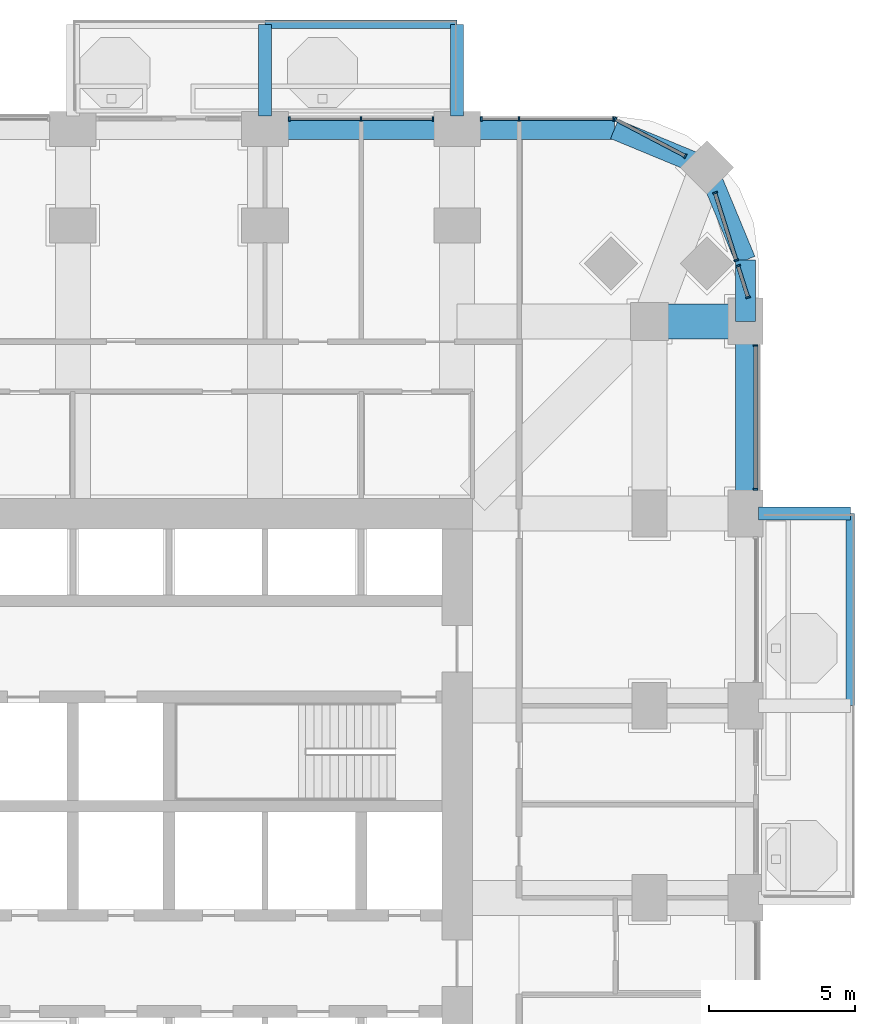
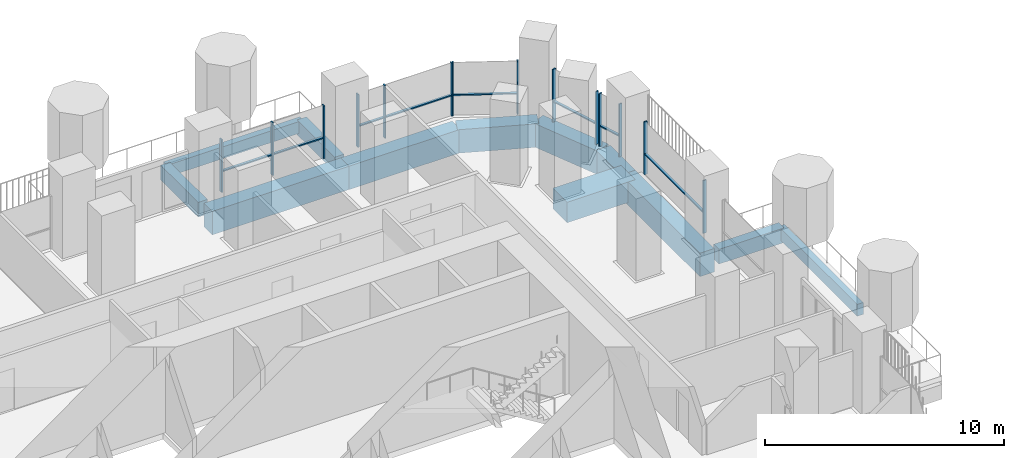
# One storey, part 8 of 22: 22 members, 12 beams, 6 elements without a shape of their own.
"""IFC4 building model written with IfcOpenShell, lengths in metres."""

from ifc_helpers import new_model, si_unit, direction, frame, origin, origin_2d, place, context, subcontext, project, spatial, rectangle, extrude, material, material_profile, profile_set, type_object, element, aggregate, save


model = new_model("IFC4")

# Units and contexts
model_context = context("Model", 3, precision=1e-05, world=origin(), true_north=direction((0.0, 1.0)))
body_context = subcontext(model_context, "Body", "Model", "MODEL_VIEW")
ifc_project = project(units=[si_unit("LENGTHUNIT", "METRE"), si_unit("AREAUNIT", "SQUARE_METRE"), si_unit("VOLUMEUNIT", "CUBIC_METRE"), si_unit("PLANEANGLEUNIT", "RADIAN"), si_unit("MASSUNIT", "GRAM", prefix="KILO")], contexts=[model_context])

# Site, building, storey
site_placement = place(None, origin())
site = spatial("IfcSite", under=ifc_project, at=site_placement, CompositionType="ELEMENT")
building_placement = place(site_placement, origin())
building = spatial("IfcBuilding", under=site, at=building_placement, Name="Cobogo Forest Laboratory Tower", CompositionType="ELEMENT")
storey_placement = place(building_placement, frame((0.0, 0.0, 94.800048828125)))
storey = spatial("IfcBuildingStorey", under=building, at=storey_placement, Name="L21", CompositionType="ELEMENT", Elevation=94.800048828125)

# Beams
ifc_material_1 = material(Name="Concrete HA-40 (C40/50)", Category="concrete")
ifc_material_profile_1 = material_profile(ifc_material_1, rectangle(XDim=0.449951171875, YDim=0.75, at=origin_2d()), Name="RC 450x750")
ifc_profile_set_1 = profile_set([ifc_material_profile_1], Name="Concrete HA-40 (C40/50)")
beam_type_1 = type_object("IfcBeamType", Name="Balcony cantilever beam 450x750", PredefinedType="BEAM", material=ifc_profile_set_1)
for number, where, z_axis, x_axis, name in (
    (1, (49.949951171875, 33.0, -0.625), (1.0, 0.0, 0.0), (0.0, 1.0, 0.0), "CB1 BAL-E1-C3 L21"),
    (2, (33.0, 46.64990234375, -0.625), (0.0, 1.0, 0.0), (-1.0, 0.0, 0.0), "CB1 BAL-N1-C2 L21"),
    (3, (39.60009765625, 46.64990234375, -0.625), (0.0, 1.0, 0.0), (-1.0, 0.0, 0.0), "CB1 BAL-N1-C3 L21"),
):
    element("IfcBeam", number, at=place(storey_placement, frame(where, z_axis=z_axis, x_axis=x_axis)), inside=storey, type_object=beam_type_1, Name=name, PredefinedType="BEAM", context=body_context, shape_type="SweptSolid", body=[
        extrude(rectangle(XDim=0.449951171875, YDim=0.75, at=origin_2d()), origin(), (0.0, 0.0, 1.0), 3.150146484375),
    ])
ifc_material_profile_2 = material_profile(ifc_material_1, rectangle(XDim=0.300048828125, YDim=0.60009765625, at=origin_2d()), Name="RC 300x600")
ifc_profile_set_2 = profile_set([ifc_material_profile_2], Name="Concrete HA-40 (C40/50)")
beam_type_2 = type_object("IfcBeamType", Name="Balcony edge beam 300x600", PredefinedType="BEAM", material=ifc_profile_set_2)
for number, where, z_axis, x_axis, name in (
    (4, (53.10009765625, 26.39990234375, -0.550048828125), (0.0, 1.0, 0.0), (-1.0, 0.0, 0.0), "BB1 BAL-E1-T2 L21"),
    (5, (33.0, 49.800048828125, -0.550048828125), (1.0, 0.0, 0.0), (0.0, 1.0, 0.0), "BB1 BAL-N1-T2 L21"),
):
    element("IfcBeam", number, at=place(storey_placement, frame(where, z_axis=z_axis, x_axis=x_axis)), inside=storey, type_object=beam_type_2, Name=name, PredefinedType="BEAM", context=body_context, shape_type="SweptSolid", body=[
        extrude(rectangle(XDim=0.300048828125, YDim=0.60009765625, at=origin_2d()), origin(), (0.0, 0.0, 1.0), 6.60009765625),
    ])
ifc_material_profile_3 = material_profile(ifc_material_1, rectangle(XDim=1.199951171875, YDim=1.050048828125, at=origin_2d()), Name="RC 1200x1050")
ifc_profile_set_3 = profile_set([ifc_material_profile_3], Name="Concrete HA-40 (C40/50)")
beam_type_3 = type_object("IfcBeamType", Name="Laboratory floor wide beam 1200x1050", PredefinedType="BEAM", material=ifc_profile_set_3)
beam_1_placement = place(storey_placement, frame((49.5, 39.60009765625, -0.824951171875), z_axis=(-1.0, 0.0, 0.0), x_axis=(0.0, -1.0, 0.0)))
element("IfcBeam", 6, at=beam_1_placement, inside=storey, type_object=beam_type_3, Name="RB1 G-NE-YF L21", PredefinedType="BEAM", context=body_context, shape_type="SweptSolid", body=[
    extrude(rectangle(XDim=1.199951171875, YDim=1.050048828125, at=origin_2d()), origin(), (0.0, 0.0, 1.0), 3.300048828125),
])

# Curtain wall, members
ifc_material_2 = material(Name="Aluminium curtain wall", Category="aluminium")
curtain_wall_type = type_object("IfcCurtainWallType", Name="CW-1 unitised curtain wall, clear glazing, laboratory floors zones A and B", PredefinedType="USERDEFINED", material=ifc_material_2)
curtain_wall_1_placement = place(storey_placement, origin())
curtain_wall_1 = element("IfcCurtainWall", 7, at=curtain_wall_1_placement, inside=storey, type_object=curtain_wall_type, Name="Curtain wall 14 L21", ObjectType="UNITISED CURTAIN WALL", PredefinedType="USERDEFINED")
ifc_material_3 = material(Name="Aluminium mullion", Category="aluminium")
ifc_material_profile_4 = material_profile(ifc_material_3, rectangle(XDim=0.06005859375, YDim=0.159912109375, at=origin_2d()), Name="AL 60x160")
ifc_profile_set_4 = profile_set([ifc_material_profile_4], Name="Aluminium mullion")
member_type_1 = type_object("IfcMemberType", Name="MU-1 aluminium mullion 60x160", PredefinedType="MULLION", material=ifc_profile_set_4)
member_1_placement = place(storey_placement, frame((49.85009765625, 33.830078125, 0.0), z_axis=(0.0, 0.0, 1.0), x_axis=(0.0, 1.0, 0.0)))
member_1 = element("IfcMember", 8, at=member_1_placement, type_object=member_type_1, Name="CW-1 mullion 1", PredefinedType="MULLION", context=body_context, shape_type="SweptSolid", body=[
    extrude(rectangle(XDim=0.06005859375, YDim=0.159912109375, at=origin_2d()), origin(), (0.0, 0.0, 1.0), 2.699951171875),
])
member_2_placement = place(storey_placement, frame((49.85009765625, 38.77001953125, 0.0), z_axis=(0.0, 0.0, 1.0), x_axis=(0.0, 1.0, 0.0)))
member_2 = element("IfcMember", 9, at=member_2_placement, type_object=member_type_1, Name="CW-1 mullion 2", PredefinedType="MULLION", context=body_context, shape_type="SweptSolid", body=[
    extrude(rectangle(XDim=0.06005859375, YDim=0.159912109375, at=origin_2d()), origin(), (0.0, 0.0, 1.0), 2.699951171875),
])

curtain_wall_2_placement = place(storey_placement, origin())
curtain_wall_2 = element("IfcCurtainWall", 10, at=curtain_wall_2_placement, inside=storey, type_object=curtain_wall_type, Name="Curtain wall 15 L21", ObjectType="UNITISED CURTAIN WALL", PredefinedType="USERDEFINED")
member_3_placement = place(storey_placement, frame((49.58837890625, 40.4287109375, 0.0), z_axis=(0.0, 0.0, 1.0), x_axis=(-0.301135667865, 0.953581307252, 0.0)))
member_3 = element("IfcMember", 11, at=member_3_placement, type_object=member_type_1, Name="CW-1 mullion 1", PredefinedType="MULLION", context=body_context, shape_type="SweptSolid", body=[
    extrude(rectangle(XDim=0.06005859375, YDim=0.159912109375, at=origin_2d()), origin(), (0.0, 0.0, 1.0), 2.699951171875),
])
member_4_placement = place(storey_placement, frame((49.247802734375, 41.507080078125, 0.0), z_axis=(0.0, 0.0, 1.0), x_axis=(-0.301135667865, 0.953581307252, 0.0)))
member_4 = element("IfcMember", 12, at=member_4_placement, type_object=member_type_1, Name="CW-1 mullion 2", PredefinedType="MULLION", context=body_context, shape_type="SweptSolid", body=[
    extrude(rectangle(XDim=0.06005859375, YDim=0.159912109375, at=origin_2d()), origin(), (0.0, 0.0, 1.0), 2.699951171875),
])

curtain_wall_3_placement = place(storey_placement, origin())
curtain_wall_3 = element("IfcCurtainWall", 13, at=curtain_wall_3_placement, inside=storey, type_object=curtain_wall_type, Name="Curtain wall 16 L21", ObjectType="UNITISED CURTAIN WALL", PredefinedType="USERDEFINED")
member_5_placement = place(storey_placement, frame((49.18701171875, 41.69970703125, 0.0), z_axis=(0.0, 0.0, 1.0), x_axis=(-0.301135291996, 0.953581425949, 0.0)))
member_5 = element("IfcMember", 14, at=member_5_placement, type_object=member_type_1, Name="CW-1 mullion 1", PredefinedType="MULLION", context=body_context, shape_type="SweptSolid", body=[
    extrude(rectangle(XDim=0.06005859375, YDim=0.159912109375, at=origin_2d()), origin(), (0.0, 0.0, 1.0), 2.699951171875),
])
member_6_placement = place(storey_placement, frame((48.455810546875, 44.01513671875, 0.0), z_axis=(0.0, 0.0, 1.0), x_axis=(-0.301135291996, 0.953581425949, 0.0)))
member_6 = element("IfcMember", 15, at=member_6_placement, type_object=member_type_1, Name="CW-1 mullion 2", PredefinedType="MULLION", context=body_context, shape_type="SweptSolid", body=[
    extrude(rectangle(XDim=0.06005859375, YDim=0.159912109375, at=origin_2d()), origin(), (0.0, 0.0, 1.0), 2.699951171875),
])

curtain_wall_4_placement = place(storey_placement, origin())
curtain_wall_4 = element("IfcCurtainWall", 16, at=curtain_wall_4_placement, inside=storey, type_object=curtain_wall_type, Name="Curtain wall 17 L21", ObjectType="UNITISED CURTAIN WALL", PredefinedType="USERDEFINED")
member_7_placement = place(storey_placement, frame((47.431640625, 45.275390625, 0.0), z_axis=(0.0, 0.0, 1.0), x_axis=(-0.885686547075, 0.464283685186, 0.0)))
member_7 = element("IfcMember", 17, at=member_7_placement, type_object=member_type_1, Name="CW-1 mullion 1", PredefinedType="MULLION", context=body_context, shape_type="SweptSolid", body=[
    extrude(rectangle(XDim=0.06005859375, YDim=0.159912109375, at=origin_2d()), origin(), (0.0, 0.0, 1.0), 2.699951171875),
])
member_8_placement = place(storey_placement, frame((45.026611328125, 46.5361328125, 0.0), z_axis=(0.0, 0.0, 1.0), x_axis=(-0.885686547075, 0.464283685186, 0.0)))
member_8 = element("IfcMember", 18, at=member_8_placement, type_object=member_type_1, Name="CW-1 mullion 2", PredefinedType="MULLION", context=body_context, shape_type="SweptSolid", body=[
    extrude(rectangle(XDim=0.06005859375, YDim=0.159912109375, at=origin_2d()), origin(), (0.0, 0.0, 1.0), 2.699951171875),
])

curtain_wall_5_placement = place(storey_placement, origin())
curtain_wall_5 = element("IfcCurtainWall", 19, at=curtain_wall_5_placement, inside=storey, type_object=curtain_wall_type, Name="Curtain wall 18 L21", ObjectType="UNITISED CURTAIN WALL", PredefinedType="USERDEFINED")
member_9_placement = place(storey_placement, frame((44.969970703125, 46.550048828125, 0.0), z_axis=(0.0, 0.0, 1.0), x_axis=(-1.0, 0.0, 0.0)))
member_9 = element("IfcMember", 20, at=member_9_placement, type_object=member_type_1, Name="CW-1 mullion 1", PredefinedType="MULLION", context=body_context, shape_type="SweptSolid", body=[
    extrude(rectangle(XDim=0.06005859375, YDim=0.159912109375, at=origin_2d()), origin(), (0.0, 0.0, 1.0), 2.699951171875),
])
member_10_placement = place(storey_placement, frame((41.72509765625, 46.550048828125, 0.0), z_axis=(0.0, 0.0, 1.0), x_axis=(-1.0, 0.0, 0.0)))
member_10 = element("IfcMember", 21, at=member_10_placement, type_object=member_type_1, Name="CW-1 mullion 2", PredefinedType="MULLION", context=body_context, shape_type="SweptSolid", body=[
    extrude(rectangle(XDim=0.06005859375, YDim=0.159912109375, at=origin_2d()), origin(), (0.0, 0.0, 1.0), 2.699951171875),
])
member_11_placement = place(storey_placement, frame((40.429931640625, 46.550048828125, 0.0), z_axis=(0.0, 0.0, 1.0), x_axis=(-1.0, 0.0, 0.0)))
member_11 = element("IfcMember", 22, at=member_11_placement, type_object=member_type_1, Name="CW-1 mullion 3", PredefinedType="MULLION", context=body_context, shape_type="SweptSolid", body=[
    extrude(rectangle(XDim=0.06005859375, YDim=0.159912109375, at=origin_2d()), origin(), (0.0, 0.0, 1.0), 2.699951171875),
])

curtain_wall_6_placement = place(storey_placement, origin())
curtain_wall_6 = element("IfcCurtainWall", 23, at=curtain_wall_6_placement, inside=storey, type_object=curtain_wall_type, Name="Curtain wall 19 L21", ObjectType="UNITISED CURTAIN WALL", PredefinedType="USERDEFINED")
member_12_placement = place(storey_placement, frame((38.77001953125, 46.550048828125, 0.0), z_axis=(0.0, 0.0, 1.0), x_axis=(-1.0, 0.0, 0.0)))
member_12 = element("IfcMember", 24, at=member_12_placement, type_object=member_type_1, Name="CW-1 mullion 1", PredefinedType="MULLION", context=body_context, shape_type="SweptSolid", body=[
    extrude(rectangle(XDim=0.06005859375, YDim=0.159912109375, at=origin_2d()), origin(), (0.0, 0.0, 1.0), 2.699951171875),
])
member_13_placement = place(storey_placement, frame((36.300048828125, 46.550048828125, 0.0), z_axis=(0.0, 0.0, 1.0), x_axis=(-1.0, 0.0, 0.0)))
member_13 = element("IfcMember", 25, at=member_13_placement, type_object=member_type_1, Name="CW-1 mullion 2", PredefinedType="MULLION", context=body_context, shape_type="SweptSolid", body=[
    extrude(rectangle(XDim=0.06005859375, YDim=0.159912109375, at=origin_2d()), origin(), (0.0, 0.0, 1.0), 2.699951171875),
])
member_14_placement = place(storey_placement, frame((33.830078125, 46.550048828125, 0.0), z_axis=(0.0, 0.0, 1.0), x_axis=(-1.0, 0.0, 0.0)))
member_14 = element("IfcMember", 26, at=member_14_placement, type_object=member_type_1, Name="CW-1 mullion 3", PredefinedType="MULLION", context=body_context, shape_type="SweptSolid", body=[
    extrude(rectangle(XDim=0.06005859375, YDim=0.159912109375, at=origin_2d()), origin(), (0.0, 0.0, 1.0), 2.699951171875),
])

# Beams
ifc_material_profile_5 = material_profile(ifc_material_1, rectangle(XDim=0.699951171875, YDim=1.199951171875, at=origin_2d()), Name="RC 700x1200")
ifc_profile_set_5 = profile_set([ifc_material_profile_5], Name="Concrete HA-40 (C40/50)")
beam_type_4 = type_object("IfcBeamType", Name="Perimeter edge beam 700x1200", PredefinedType="BEAM", material=ifc_profile_set_5)
for number, where, z_axis, x_axis, name in (
    (27, (49.5, 33.0, -0.900146484375), (0.0, 1.0, 0.0), (-1.0, 0.0, 0.0), "EB1 E-E5 L21"),
    (28, (33.0, 46.199951171875, -0.900146484375), (1.0, 0.0, 0.0), (0.0, 1.0, 0.0), "EB1 E-N4 L21"),
):
    element("IfcBeam", number, at=place(storey_placement, frame(where, z_axis=z_axis, x_axis=x_axis)), inside=storey, type_object=beam_type_4, Name=name, PredefinedType="BEAM", context=body_context, shape_type="SweptSolid", body=[
        extrude(rectangle(XDim=0.699951171875, YDim=1.199951171875, at=origin_2d()), origin(), (0.0, 0.0, 1.0), 6.60009765625),
    ])
beam_2_placement = place(storey_placement, frame((49.5, 39.60009765625, -0.900146484375), z_axis=(0.0, 1.0, 0.0), x_axis=(-1.0, 0.0, 0.0)))
element("IfcBeam", 29, at=beam_2_placement, inside=storey, type_object=beam_type_4, Name="EB1 E-NEE1 L21", PredefinedType="BEAM", context=body_context, shape_type="SweptSolid", body=[
    extrude(rectangle(XDim=0.699951171875, YDim=1.199951171875, at=origin_2d()), origin(), (0.0, 0.0, 1.0), 2.099853515625),
])
beam_3_placement = place(storey_placement, frame((49.5, 41.699951171875, -0.900146484375), z_axis=(-0.382691928466, 0.923876013265, 0.0), x_axis=(-0.923876013265, -0.382691928466, 0.0)))
element("IfcBeam", 30, at=beam_3_placement, inside=storey, type_object=beam_type_4, Name="EB1 E-NEE2 L21", PredefinedType="BEAM", context=body_context, shape_type="SweptSolid", body=[
    extrude(rectangle(XDim=0.699951171875, YDim=1.199951171875, at=origin_2d()), origin(), (0.0, 0.0, 1.0), 3.4443359375),
])
beam_4_placement = place(storey_placement, frame((39.60009765625, 46.199951171875, -0.900146484375), z_axis=(1.0, 0.0, 0.0), x_axis=(0.0, 1.0, 0.0)))
element("IfcBeam", 31, at=beam_4_placement, inside=storey, type_object=beam_type_4, Name="EB1 E-NEN1 L21", PredefinedType="BEAM", context=body_context, shape_type="SweptSolid", body=[
    extrude(rectangle(XDim=0.699951171875, YDim=1.199951171875, at=origin_2d()), origin(), (0.0, 0.0, 1.0), 5.39990234375),
])
beam_5_placement = place(storey_placement, frame((45.0, 46.199951171875, -0.900146484375), z_axis=(0.923890694089, -0.382656484822, 0.0), x_axis=(0.382656484822, 0.923890694089, 0.0)))
element("IfcBeam", 32, at=beam_5_placement, inside=storey, type_object=beam_type_4, Name="EB1 E-NEN2 L21", PredefinedType="BEAM", context=body_context, shape_type="SweptSolid", body=[
    extrude(rectangle(XDim=0.699951171875, YDim=1.199951171875, at=origin_2d()), origin(), (0.0, 0.0, 1.0), 3.444091796875),
])

# Member
ifc_material_4 = material(Name="Aluminium transom", Category="aluminium")
ifc_material_profile_6 = material_profile(ifc_material_4, rectangle(XDim=0.1201171875, YDim=0.06005859375, at=origin_2d()), Name="AL 60x120")
ifc_profile_set_6 = profile_set([ifc_material_profile_6], Name="Aluminium transom")
member_type_2 = type_object("IfcMemberType", Name="TR-1 aluminium transom 60x120", PredefinedType="USERDEFINED", material=ifc_profile_set_6)
member_15_placement = place(storey_placement, frame((49.85009765625, 33.860107421875, 1.050048828125), z_axis=(0.0, 1.0, 0.0), x_axis=(-1.0, 0.0, 0.0)))
member_15 = element("IfcMember", 33, at=member_15_placement, type_object=member_type_2, Name="CW-1 transom 1.1", ObjectType="TRANSOM", PredefinedType="USERDEFINED", context=body_context, shape_type="SweptSolid", body=[
    extrude(rectangle(XDim=0.1201171875, YDim=0.06005859375, at=origin_2d()), origin(), (0.0, 0.0, 1.0), 4.8798828125),
])

aggregate(curtain_wall_1, [member_1, member_2, member_15])

member_16_placement = place(storey_placement, frame((49.579345703125, 40.457275390625, 1.050048828125), z_axis=(-0.3011422781, 0.953579219751, 0.0), x_axis=(-0.953579219751, -0.3011422781, 0.0)))
member_16 = element("IfcMember", 34, at=member_16_placement, type_object=member_type_2, Name="CW-1 transom 1.1", ObjectType="TRANSOM", PredefinedType="USERDEFINED", context=body_context, shape_type="SweptSolid", body=[
    extrude(rectangle(XDim=0.1201171875, YDim=0.06005859375, at=origin_2d()), origin(), (0.0, 0.0, 1.0), 1.071044921875),
])

aggregate(curtain_wall_2, [member_3, member_4, member_16])

member_17_placement = place(storey_placement, frame((49.177978515625, 41.728271484375, 1.050048828125), z_axis=(-0.301156039198, 0.953574873859, 0.0), x_axis=(-0.953574873859, -0.301156039198, 0.0)))
member_17 = element("IfcMember", 35, at=member_17_placement, type_object=member_type_2, Name="CW-1 transom 1.1", ObjectType="TRANSOM", PredefinedType="USERDEFINED", context=body_context, shape_type="SweptSolid", body=[
    extrude(rectangle(XDim=0.1201171875, YDim=0.06005859375, at=origin_2d()), origin(), (0.0, 0.0, 1.0), 2.367919921875),
])

aggregate(curtain_wall_3, [member_5, member_6, member_17])

member_18_placement = place(storey_placement, frame((47.405029296875, 45.289306640625, 1.050048828125), z_axis=(-0.885674922116, 0.464305860758, 0.0), x_axis=(-0.464305860758, -0.885674922116, 0.0)))
member_18 = element("IfcMember", 36, at=member_18_placement, type_object=member_type_2, Name="CW-1 transom 1.1", ObjectType="TRANSOM", PredefinedType="USERDEFINED", context=body_context, shape_type="SweptSolid", body=[
    extrude(rectangle(XDim=0.1201171875, YDim=0.06005859375, at=origin_2d()), origin(), (0.0, 0.0, 1.0), 2.6552734375),
])

aggregate(curtain_wall_4, [member_7, member_8, member_18])

member_19_placement = place(storey_placement, frame((44.93994140625, 46.550048828125, 1.050048828125), z_axis=(-1.0, 0.0, 0.0), x_axis=(0.0, -1.0, 0.0)))
member_19 = element("IfcMember", 37, at=member_19_placement, type_object=member_type_2, Name="CW-1 transom 1.1", ObjectType="TRANSOM", PredefinedType="USERDEFINED", context=body_context, shape_type="SweptSolid", body=[
    extrude(rectangle(XDim=0.1201171875, YDim=0.06005859375, at=origin_2d()), origin(), (0.0, 0.0, 1.0), 3.18505859375),
])

member_20_placement = place(storey_placement, frame((41.695068359375, 46.550048828125, 1.050048828125), z_axis=(-1.0, 0.0, 0.0), x_axis=(0.0, -1.0, 0.0)))
member_20 = element("IfcMember", 38, at=member_20_placement, type_object=member_type_2, Name="CW-1 transom 2.1", ObjectType="TRANSOM", PredefinedType="USERDEFINED", context=body_context, shape_type="SweptSolid", body=[
    extrude(rectangle(XDim=0.1201171875, YDim=0.06005859375, at=origin_2d()), origin(), (0.0, 0.0, 1.0), 1.235107421875),
])

aggregate(curtain_wall_5, [member_9, member_10, member_11, member_19, member_20])

member_21_placement = place(storey_placement, frame((38.739990234375, 46.550048828125, 1.050048828125), z_axis=(-1.0, 0.0, 0.0), x_axis=(0.0, -1.0, 0.0)))
member_21 = element("IfcMember", 39, at=member_21_placement, type_object=member_type_2, Name="CW-1 transom 1.1", ObjectType="TRANSOM", PredefinedType="USERDEFINED", context=body_context, shape_type="SweptSolid", body=[
    extrude(rectangle(XDim=0.1201171875, YDim=0.06005859375, at=origin_2d()), origin(), (0.0, 0.0, 1.0), 2.409912109375),
])

member_22_placement = place(storey_placement, frame((36.27001953125, 46.550048828125, 1.050048828125), z_axis=(-1.0, 0.0, 0.0), x_axis=(0.0, -1.0, 0.0)))
member_22 = element("IfcMember", 40, at=member_22_placement, type_object=member_type_2, Name="CW-1 transom 2.1", ObjectType="TRANSOM", PredefinedType="USERDEFINED", context=body_context, shape_type="SweptSolid", body=[
    extrude(rectangle(XDim=0.1201171875, YDim=0.06005859375, at=origin_2d()), origin(), (0.0, 0.0, 1.0), 2.409912109375),
])

aggregate(curtain_wall_6, [member_12, member_13, member_14, member_21, member_22])

save(model, "model.ifc")
